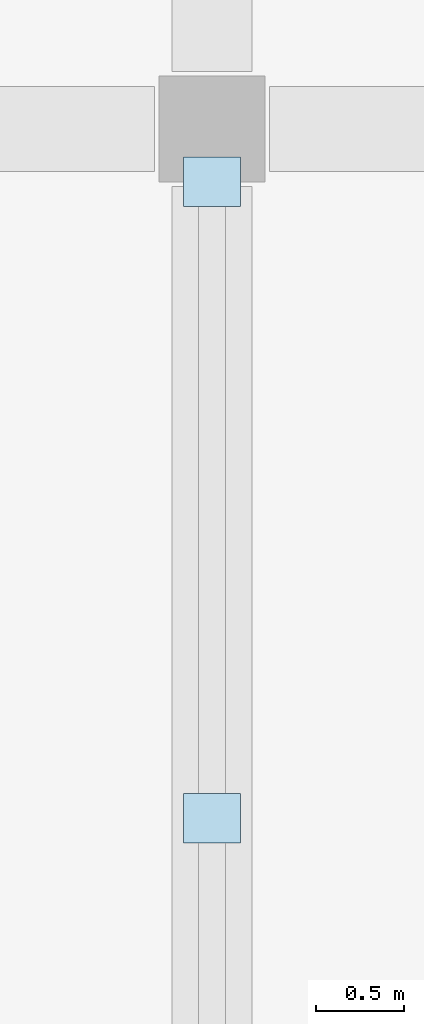
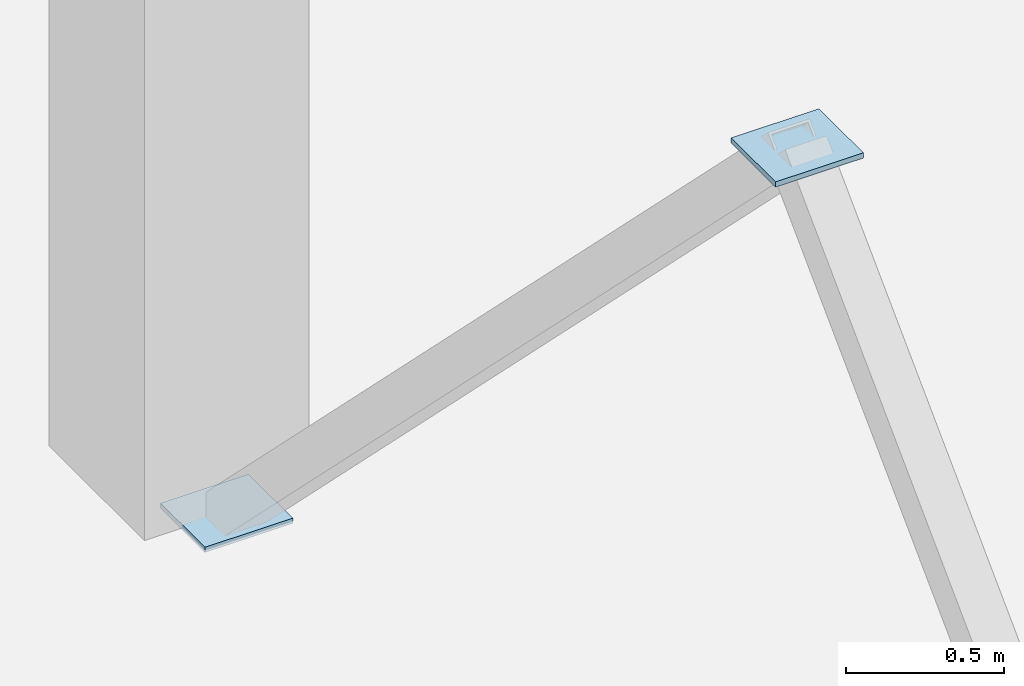
# One storey, part 52 of 71: 2 plates.
"""IFC4 building model written with IfcOpenShell, lengths in metres."""

from ifc_helpers import new_model, si_unit, direction, frame, origin, origin_2d, place, context, subcontext, project, spatial, rectangle, extrude, material, layer, layer_set, type_object, element, save


model = new_model("IFC4")

# Units and contexts
model_context = context("Model", 3, precision=1e-05, world=origin(), true_north=direction((0.0, 1.0)))
body_context = subcontext(model_context, "Body", "Model", "MODEL_VIEW")
ifc_project = project(units=[si_unit("LENGTHUNIT", "METRE"), si_unit("AREAUNIT", "SQUARE_METRE"), si_unit("VOLUMEUNIT", "CUBIC_METRE"), si_unit("PLANEANGLEUNIT", "RADIAN"), si_unit("MASSUNIT", "GRAM", prefix="KILO")], contexts=[model_context])

# Site, building, storey
site_placement = place(None, origin())
site = spatial("IfcSite", under=ifc_project, at=site_placement, CompositionType="ELEMENT")
building_placement = place(site_placement, origin())
building = spatial("IfcBuilding", under=site, at=building_placement, Name="Pellamere Symphony Hall", CompositionType="ELEMENT")
storey_placement = place(building_placement, frame((0.0, 0.0, 15.0)))
storey = spatial("IfcBuildingStorey", under=building, at=storey_placement, Name="L03", CompositionType="ELEMENT", Elevation=15.0)

# Plates
ifc_material = material(Name="Steel CSA G40.21 350W", Category="steel")
ifc_layer = layer(ifc_material, 0.02001953125, Name="Steel CSA G40.21 350W")
ifc_layer_set = layer_set([ifc_layer], Name="Steel CSA G40.21 350W")
plate_type = type_object("IfcPlateType", Name="Steel Connection Plate KP-06 320x280x20", PredefinedType="SHEET", material=ifc_layer_set)
for number, where, z_axis, x_axis, name in (
    (1, (164.39990234375, 61.5, -0.010009765625), (0.0, 0.0, 1.0), (1.0, 0.0, 0.0), "Brace End Cap Plate 182"),
    (2, (164.39990234375, 57.89990234375, 3.580078125), (0.0, 0.0, 1.0), (1.0, 0.0, 0.0), "Brace End Cap Plate 183"),
):
    element("IfcPlate", number, at=place(storey_placement, frame(where, z_axis=z_axis, x_axis=x_axis)), inside=storey, type_object=plate_type, Name=name, PredefinedType="SHEET", context=body_context, shape_type="SweptSolid", body=[
        extrude(rectangle(XDim=0.320068359375, YDim=0.280029296875, at=origin_2d()), origin(), (0.0, 0.0, 1.0), 0.02001953125),
    ])

save(model, "model.ifc")
